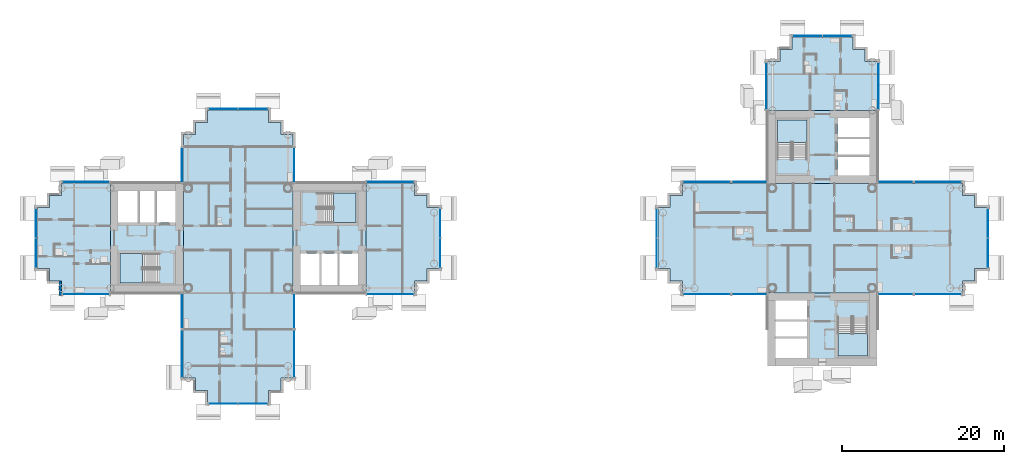
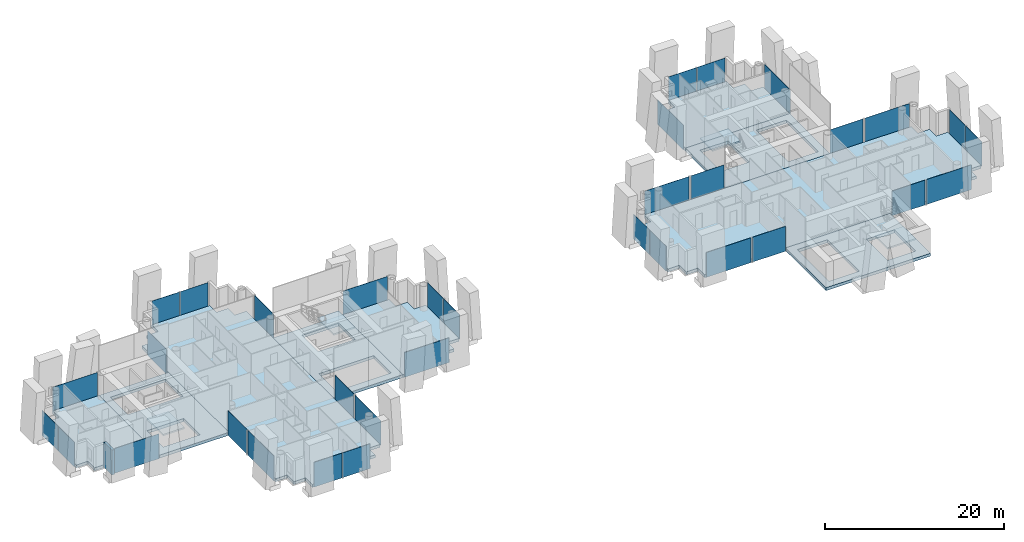
# One storey, part 7 of 21: 34 plates, 13 slabs, 1 wall, 31 elements without a shape of their own.
"""IFC4 building model written with IfcOpenShell, lengths in metres."""

from ifc_helpers import new_model, si_unit, direction, frame, frame_2d, origin, origin_2d, place, context, subcontext, project, spatial, polyline, rectangle, outline, extrude, material, layer, layer_set, type_object, element, aggregate, save


model = new_model("IFC4")

# Units and contexts
model_context = context("Model", 3, precision=1e-05, world=origin(), true_north=direction((0.0, 1.0)))
body_context = subcontext(model_context, "Body", "Model", "MODEL_VIEW")
ifc_project = project(units=[si_unit("LENGTHUNIT", "METRE"), si_unit("AREAUNIT", "SQUARE_METRE"), si_unit("VOLUMEUNIT", "CUBIC_METRE"), si_unit("PLANEANGLEUNIT", "RADIAN"), si_unit("MASSUNIT", "GRAM", prefix="KILO")], contexts=[model_context])

# Site, building, storey
site_placement = place(None, origin())
site = spatial("IfcSite", under=ifc_project, at=site_placement, CompositionType="ELEMENT")
building_placement = place(site_placement, origin())
building = spatial("IfcBuilding", under=site, at=building_placement, Name="Ipe Terrace Towers", CompositionType="ELEMENT")
storey_placement = place(building_placement, frame((0.0, 0.0, 86.800048828125)))
storey = spatial("IfcBuildingStorey", under=building, at=storey_placement, Name="L23", CompositionType="ELEMENT", Elevation=86.800048828125)

# Slabs
ifc_material_1 = material(Name="Concrete C30/37", Category="concrete")
ifc_layer_1 = layer(ifc_material_1, 0.39990234375)
ifc_layer_set_1 = layer_set([ifc_layer_1], Name="CORE FLOOR SLAB 400 C30-37")
slab_type_1 = type_object("IfcSlabType", Name="CORE FLOOR SLAB 400 C30-37", PredefinedType="FLOOR", material=ifc_layer_set_1)
slab_1_placement = place(storey_placement, frame((0.0, 0.0, -0.400146484375)))
element("IfcSlab", 1, at=slab_1_placement, inside=storey, type_object=slab_type_1, Name="Core floor T1-C1", PredefinedType="FLOOR", context=body_context, shape_type="SweptSolid", body=[
    extrude(outline(polyline([(-29.25, -6.75), (-29.25, 6.75), (-20.25, 6.75), (-20.25, -6.75), (-29.25, -6.75)]), holes=[polyline([(-28.300048828125, -5.800048828125), (-21.199951171875, -5.800048828125), (-21.199951171875, -1.89990234375), (-28.300048828125, -1.89990234375), (-28.300048828125, -5.800048828125)]), polyline([(-26.199951171875, 5.550048828125), (-26.199951171875, 1.89990234375), (-21.449951171875, 1.89990234375), (-21.449951171875, 5.550048828125), (-26.199951171875, 5.550048828125)])]), origin(), (0.0, 0.0, 1.0), 0.400146484375),
])
slab_2_placement = place(storey_placement, frame((0.0, 0.0, -0.400146484375)))
element("IfcSlab", 2, at=slab_2_placement, inside=storey, type_object=slab_type_1, Name="Core floor T1-C2", PredefinedType="FLOOR", context=body_context, shape_type="SweptSolid", body=[
    extrude(outline(polyline([(-51.75, -6.75), (-51.75, 6.75), (-42.75, 6.75), (-42.75, -6.75), (-51.75, -6.75)]), holes=[polyline([(-45.800048828125, -5.550048828125), (-45.800048828125, -1.89990234375), (-50.550048828125, -1.89990234375), (-50.550048828125, -5.550048828125), (-45.800048828125, -5.550048828125)]), polyline([(-50.800048828125, 1.89990234375), (-43.699951171875, 1.89990234375), (-43.699951171875, 5.800048828125), (-50.800048828125, 5.800048828125), (-50.800048828125, 1.89990234375)])]), origin(), (0.0, 0.0, 1.0), 0.400146484375),
])
slab_3_placement = place(storey_placement, frame((0.0, 0.0, -0.400146484375)))
element("IfcSlab", 3, at=slab_3_placement, inside=storey, type_object=slab_type_1, Name="Core floor T2-C1", PredefinedType="FLOOR", context=body_context, shape_type="SweptSolid", body=[
    extrude(outline(polyline([(29.25, 6.75), (29.25, 15.75), (42.75, 15.75), (42.75, 6.75), (29.25, 6.75)]), holes=[polyline([(41.800048828125, 7.699951171875), (41.800048828125, 14.800048828125), (37.89990234375, 14.800048828125), (37.89990234375, 7.699951171875), (41.800048828125, 7.699951171875)]), polyline([(30.449951171875, 9.800048828125), (34.10009765625, 9.800048828125), (34.10009765625, 14.550048828125), (30.449951171875, 14.550048828125), (30.449951171875, 9.800048828125)])]), origin(), (0.0, 0.0, 1.0), 0.400146484375),
])
slab_4_placement = place(storey_placement, frame((0.0, 0.0, -0.400146484375)))
element("IfcSlab", 4, at=slab_4_placement, inside=storey, type_object=slab_type_1, Name="Core floor T2-C2", PredefinedType="FLOOR", context=body_context, shape_type="SweptSolid", body=[
    extrude(outline(polyline([(29.25, -15.75), (29.25, -6.75), (42.75, -6.75), (42.75, -15.75), (29.25, -15.75)]), holes=[polyline([(34.10009765625, -14.800048828125), (34.10009765625, -7.699951171875), (30.199951171875, -7.699951171875), (30.199951171875, -14.800048828125), (34.10009765625, -14.800048828125)]), polyline([(41.550048828125, -9.800048828125), (37.89990234375, -9.800048828125), (37.89990234375, -14.550048828125), (41.550048828125, -14.550048828125), (41.550048828125, -9.800048828125)])]), origin(), (0.0, 0.0, 1.0), 0.400146484375),
])

# Stair, slab
ifc_material_2 = material(Name="Concrete C30/37", Category="concrete")
stair_type = type_object("IfcStairType", Name="Protected exit stair", PredefinedType="HALF_TURN_STAIR", material=ifc_material_2)
stair_1_placement = place(storey_placement, origin())
stair_1 = element("IfcStair", 5, at=stair_1_placement, inside=storey, type_object=stair_type, Name="L23 Exit stair T1-C1", PredefinedType="HALF_TURN_STAIR")
ifc_material_3 = material(Name="Concrete C30/37", Category="concrete")
ifc_layer_2 = layer(ifc_material_3, 0.199951171875)
ifc_layer_set_2 = layer_set([ifc_layer_2], Name="Exit stair landing 200")
slab_type_2 = type_object("IfcSlabType", Name="Exit stair landing 200", PredefinedType="LANDING", material=ifc_layer_set_2)
slab_5_placement = place(storey_placement, frame((0.0, 0.0, 1.5)))
slab_5 = element("IfcSlab", 6, at=slab_5_placement, type_object=slab_type_2, Name="T1-ST1 landing 1", PredefinedType="LANDING", context=body_context, shape_type="SweptSolid", body=[
    extrude(outline(polyline([(-24.219970703125, 1.89990234375), (-21.449951171875, 1.89990234375), (-21.449951171875, 5.550048828125), (-24.219970703125, 5.550048828125), (-24.219970703125, 1.89990234375)])), origin(), (0.0, 0.0, 1.0), 0.199951171875),
])
aggregate(stair_1, [slab_5])

stair_2_placement = place(storey_placement, origin())
stair_2 = element("IfcStair", 7, at=stair_2_placement, inside=storey, type_object=stair_type, Name="L23 Exit stair T1-C2", PredefinedType="HALF_TURN_STAIR")
slab_6_placement = place(storey_placement, frame((0.0, 0.0, 1.5)))
slab_6 = element("IfcSlab", 8, at=slab_6_placement, type_object=slab_type_2, Name="T1-ST2 landing 1", PredefinedType="LANDING", context=body_context, shape_type="SweptSolid", body=[
    extrude(outline(polyline([(-47.780029296875, -1.89990234375), (-50.550048828125, -1.89990234375), (-50.550048828125, -5.550048828125), (-47.780029296875, -5.550048828125), (-47.780029296875, -1.89990234375)])), origin(), (0.0, 0.0, 1.0), 0.199951171875),
])
aggregate(stair_2, [slab_6])

stair_3_placement = place(storey_placement, origin())
stair_3 = element("IfcStair", 9, at=stair_3_placement, inside=storey, type_object=stair_type, Name="L23 Exit stair T2-C1", PredefinedType="HALF_TURN_STAIR")
slab_7_placement = place(storey_placement, frame((0.0, 0.0, 1.5)))
slab_7 = element("IfcSlab", 10, at=slab_7_placement, type_object=slab_type_2, Name="T2-ST1 landing 1", PredefinedType="LANDING", context=body_context, shape_type="SweptSolid", body=[
    extrude(outline(polyline([(34.10009765625, 11.780029296875), (34.10009765625, 14.550048828125), (30.449951171875, 14.550048828125), (30.449951171875, 11.780029296875), (34.10009765625, 11.780029296875)])), origin(), (0.0, 0.0, 1.0), 0.199951171875),
])
aggregate(stair_3, [slab_7])

stair_4_placement = place(storey_placement, origin())
stair_4 = element("IfcStair", 11, at=stair_4_placement, inside=storey, type_object=stair_type, Name="L23 Exit stair T2-C2", PredefinedType="HALF_TURN_STAIR")
slab_8_placement = place(storey_placement, frame((0.0, 0.0, 1.5)))
slab_8 = element("IfcSlab", 12, at=slab_8_placement, type_object=slab_type_2, Name="T2-ST2 landing 1", PredefinedType="LANDING", context=body_context, shape_type="SweptSolid", body=[
    extrude(outline(polyline([(37.89990234375, -11.780029296875), (37.89990234375, -14.550048828125), (41.550048828125, -14.550048828125), (41.550048828125, -11.780029296875), (37.89990234375, -11.780029296875)])), origin(), (0.0, 0.0, 1.0), 0.199951171875),
])
aggregate(stair_4, [slab_8])

# Slabs
ifc_material_4 = material(Name="Concrete C40/50", Category="concrete")
ifc_layer_3 = layer(ifc_material_4, 0.39990234375)
ifc_layer_set_3 = layer_set([ifc_layer_3], Name="FLAT PLATE SLAB 400 C40-50")
slab_type_3 = type_object("IfcSlabType", Name="FLAT PLATE SLAB 400 C40-50", PredefinedType="FLOOR", material=ifc_layer_set_3)
slab_9_placement = place(storey_placement, frame((0.0, 0.0, -0.400146484375)))
element("IfcSlab", 13, at=slab_9_placement, inside=storey, type_object=slab_type_3, Name="Slab T1-FS-Z21", PredefinedType="FLOOR", context=body_context, shape_type="SweptSolid", body=[
    extrude(outline(polyline([(-30.75, -17.25), (-30.75, -18.75), (-32.25, -18.75), (-32.25, -20.25), (-39.75, -20.25), (-39.75, -18.75), (-41.25, -18.75), (-41.25, -17.25), (-42.75, -17.25), (-42.75, -6.75), (-42.75, 6.75), (-42.75, 12.75), (-41.25, 12.75), (-41.25, 14.25), (-39.75, 14.25), (-39.75, 15.75), (-32.25, 15.75), (-32.25, 14.25), (-30.75, 14.25), (-30.75, 12.75), (-29.25, 12.75), (-29.25, 6.75), (-29.25, -6.75), (-29.25, -17.25), (-30.75, -17.25)])), origin(), (0.0, 0.0, 1.0), 0.400146484375),
])
slab_10_placement = place(storey_placement, frame((0.0, 0.0, -0.400146484375)))
element("IfcSlab", 14, at=slab_10_placement, inside=storey, type_object=slab_type_3, Name="Slab T1-FS-Z22", PredefinedType="FLOOR", context=body_context, shape_type="SweptSolid", body=[
    extrude(outline(polyline([(-57.75, -6.75), (-57.75, -5.25), (-59.25, -5.25), (-59.25, -3.75), (-60.75, -3.75), (-60.75, 3.75), (-59.25, 3.75), (-59.25, 5.25), (-57.75, 5.25), (-57.75, 6.75), (-51.75, 6.75), (-51.75, -6.75), (-57.75, -6.75)])), origin(), (0.0, 0.0, 1.0), 0.400146484375),
])
slab_11_placement = place(storey_placement, frame((0.0, 0.0, -0.400146484375)))
element("IfcSlab", 15, at=slab_11_placement, inside=storey, type_object=slab_type_3, Name="Slab T1-FS-Z23", PredefinedType="FLOOR", context=body_context, shape_type="SweptSolid", body=[
    extrude(outline(polyline([(-14.25, 5.25), (-12.75, 5.25), (-12.75, 3.75), (-11.25, 3.75), (-11.25, -3.75), (-12.75, -3.75), (-12.75, -5.25), (-14.25, -5.25), (-14.25, -6.75), (-20.25, -6.75), (-20.25, 6.75), (-14.25, 6.75), (-14.25, 5.25)])), origin(), (0.0, 0.0, 1.0), 0.400146484375),
])
slab_12_placement = place(storey_placement, frame((0.0, 0.0, -0.400146484375)))
element("IfcSlab", 16, at=slab_12_placement, inside=storey, type_object=slab_type_3, Name="Slab T2-FS-Z21", PredefinedType="FLOOR", context=body_context, shape_type="SweptSolid", body=[
    extrude(outline(polyline([(53.25, 5.25), (54.75, 5.25), (54.75, 3.75), (56.25, 3.75), (56.25, -3.75), (54.75, -3.75), (54.75, -5.25), (53.25, -5.25), (53.25, -6.75), (42.75, -6.75), (29.25, -6.75), (18.75, -6.75), (18.75, -5.25), (17.25, -5.25), (17.25, -3.75), (15.75, -3.75), (15.75, 3.75), (17.25, 3.75), (17.25, 5.25), (18.75, 5.25), (18.75, 6.75), (29.25, 6.75), (42.75, 6.75), (53.25, 6.75), (53.25, 5.25)])), origin(), (0.0, 0.0, 1.0), 0.400146484375),
])
slab_13_placement = place(storey_placement, frame((0.0, 0.0, -0.400146484375)))
element("IfcSlab", 17, at=slab_13_placement, inside=storey, type_object=slab_type_3, Name="Slab T2-FS-Z22", PredefinedType="FLOOR", context=body_context, shape_type="SweptSolid", body=[
    extrude(outline(polyline([(30.75, 21.75), (30.75, 23.25), (32.25, 23.25), (32.25, 24.75), (39.75, 24.75), (39.75, 23.25), (41.25, 23.25), (41.25, 21.75), (42.75, 21.75), (42.75, 15.75), (29.25, 15.75), (29.25, 21.75), (30.75, 21.75)])), origin(), (0.0, 0.0, 1.0), 0.400146484375),
])

# Curtain wall, plate
ifc_material_5 = material(Name="Aluminium alloy 6063-T6", Category="aluminium")
ifc_layer_4 = layer(ifc_material_5, 0.320068359375)
ifc_layer_set_4 = layer_set([ifc_layer_4], Name="TOWER UNITISED CURTAIN WALL")
curtain_wall_type = type_object("IfcCurtainWallType", Name="TOWER UNITISED CURTAIN WALL", PredefinedType="NOTDEFINED", material=ifc_layer_set_4)
curtain_wall_1_placement = place(storey_placement, origin())
curtain_wall_1 = element("IfcCurtainWall", 18, at=curtain_wall_1_placement, inside=storey, type_object=curtain_wall_type, Name="T1-CW-L23-04a curtain wall", PredefinedType="NOTDEFINED")
ifc_material_6 = material(Name="Glass, clear laminated", Category="glass")
ifc_layer_5 = layer(ifc_material_6, 0.031982421875)
ifc_layer_set_5 = layer_set([ifc_layer_5], Name="TOWER UNITISED GLASS PANEL 32")
plate_type = type_object("IfcPlateType", Name="TOWER UNITISED GLASS PANEL 32", PredefinedType="CURTAIN_PANEL", material=ifc_layer_set_5)
plate_1_placement = place(storey_placement, frame((-54.75048828125, -6.909912109375, -0.300048828125), z_axis=(0.0, 0.0, 1.0), x_axis=(1.0, 0.0, 0.0)))
plate_1 = element("IfcPlate", 19, at=plate_1_placement, type_object=plate_type, Name="T1-CW-L23-04a panel 1", PredefinedType="CURTAIN_PANEL", context=body_context, shape_type="SweptSolid", body=[
    extrude(rectangle(XDim=5.759033203125, YDim=0.031982421875, at=origin_2d()), origin(), (0.0, 0.0, 1.0), 3.39990234375),
])
aggregate(curtain_wall_1, [plate_1])

curtain_wall_2_placement = place(storey_placement, origin())
curtain_wall_2 = element("IfcCurtainWall", 20, at=curtain_wall_2_placement, inside=storey, type_object=curtain_wall_type, Name="T1-CW-L23-06a curtain wall", PredefinedType="NOTDEFINED")
plate_2_placement = place(storey_placement, frame((-42.909912109375, -9.0, -0.300048828125), z_axis=(0.0, 0.0, 1.0), x_axis=(0.0, -1.0, 0.0)))
plate_2 = element("IfcPlate", 21, at=plate_2_placement, type_object=plate_type, Name="T1-CW-L23-06a panel 1", PredefinedType="CURTAIN_PANEL", context=body_context, shape_type="SweptSolid", body=[
    extrude(rectangle(XDim=4.260009765625, YDim=0.031982421875, at=origin_2d()), origin(), (0.0, 0.0, 1.0), 3.39990234375),
])
aggregate(curtain_wall_2, [plate_2])

curtain_wall_3_placement = place(storey_placement, origin())
curtain_wall_3 = element("IfcCurtainWall", 22, at=curtain_wall_3_placement, inside=storey, type_object=curtain_wall_type, Name="T1-CW-L23-07a curtain wall", PredefinedType="NOTDEFINED")
plate_3_placement = place(storey_placement, frame((-42.909912109375, -14.25, -0.300048828125), z_axis=(0.0, 0.0, 1.0), x_axis=(0.0, -1.0, 0.0)))
plate_3 = element("IfcPlate", 23, at=plate_3_placement, type_object=plate_type, Name="T1-CW-L23-07a panel 1", PredefinedType="CURTAIN_PANEL", context=body_context, shape_type="SweptSolid", body=[
    extrude(rectangle(XDim=5.760009765625, YDim=0.031982421875, at=origin_2d()), origin(), (0.0, 0.0, 1.0), 3.39990234375),
])
aggregate(curtain_wall_3, [plate_3])

# Curtain wall, plates
curtain_wall_4_placement = place(storey_placement, origin())
curtain_wall_4 = element("IfcCurtainWall", 24, at=curtain_wall_4_placement, inside=storey, type_object=curtain_wall_type, Name="T1-CW-L23-12a curtain wall", PredefinedType="NOTDEFINED")
plate_4_placement = place(storey_placement, frame((-37.831298828125, -20.409912109375, -0.300048828125), z_axis=(0.0, 0.0, 1.0), x_axis=(1.0, 0.0, 0.0)))
plate_4 = element("IfcPlate", 25, at=plate_4_placement, type_object=plate_type, Name="T1-CW-L23-12a panel 1", PredefinedType="CURTAIN_PANEL", context=body_context, shape_type="SweptSolid", body=[
    extrude(rectangle(XDim=3.597412109375, YDim=0.031982421875, at=origin_2d()), origin(), (0.0, 0.0, 1.0), 3.39990234375),
])
plate_5_placement = place(storey_placement, frame((-34.168701171875, -20.409912109375, -0.300048828125), z_axis=(0.0, 0.0, 1.0), x_axis=(1.0, 0.0, 0.0)))
plate_5 = element("IfcPlate", 26, at=plate_5_placement, type_object=plate_type, Name="T1-CW-L23-12a panel 2", PredefinedType="CURTAIN_PANEL", context=body_context, shape_type="SweptSolid", body=[
    extrude(rectangle(XDim=3.597412109375, YDim=0.031982421875, at=origin_2d()), origin(), (0.0, 0.0, 1.0), 3.39990234375),
])
aggregate(curtain_wall_4, [plate_4, plate_5])

# Curtain wall, plate
curtain_wall_5_placement = place(storey_placement, origin())
curtain_wall_5 = element("IfcCurtainWall", 27, at=curtain_wall_5_placement, inside=storey, type_object=curtain_wall_type, Name="T1-CW-L23-17a curtain wall", PredefinedType="NOTDEFINED")
plate_6_placement = place(storey_placement, frame((-29.090087890625, -14.25, -0.300048828125), z_axis=(0.0, 0.0, 1.0), x_axis=(0.0, 1.0, 0.0)))
plate_6 = element("IfcPlate", 28, at=plate_6_placement, type_object=plate_type, Name="T1-CW-L23-17a panel 1", PredefinedType="CURTAIN_PANEL", context=body_context, shape_type="SweptSolid", body=[
    extrude(rectangle(XDim=5.760009765625, YDim=0.031982421875, at=origin_2d()), origin(), (0.0, 0.0, 1.0), 3.39990234375),
])
aggregate(curtain_wall_5, [plate_6])

curtain_wall_6_placement = place(storey_placement, origin())
curtain_wall_6 = element("IfcCurtainWall", 29, at=curtain_wall_6_placement, inside=storey, type_object=curtain_wall_type, Name="T1-CW-L23-18a curtain wall", PredefinedType="NOTDEFINED")
plate_7_placement = place(storey_placement, frame((-29.090087890625, -9.0, -0.300048828125), z_axis=(0.0, 0.0, 1.0), x_axis=(0.0, 1.0, 0.0)))
plate_7 = element("IfcPlate", 30, at=plate_7_placement, type_object=plate_type, Name="T1-CW-L23-18a panel 1", PredefinedType="CURTAIN_PANEL", context=body_context, shape_type="SweptSolid", body=[
    extrude(rectangle(XDim=4.260009765625, YDim=0.031982421875, at=origin_2d()), origin(), (0.0, 0.0, 1.0), 3.39990234375),
])
aggregate(curtain_wall_6, [plate_7])

curtain_wall_7_placement = place(storey_placement, origin())
curtain_wall_7 = element("IfcCurtainWall", 31, at=curtain_wall_7_placement, inside=storey, type_object=curtain_wall_type, Name="T1-CW-L23-20b curtain wall", PredefinedType="NOTDEFINED")
plate_8_placement = place(storey_placement, frame((-17.24951171875, -6.909912109375, -0.300048828125), z_axis=(0.0, 0.0, 1.0), x_axis=(1.0, 0.0, 0.0)))
plate_8 = element("IfcPlate", 32, at=plate_8_placement, type_object=plate_type, Name="T1-CW-L23-20b panel 1", PredefinedType="CURTAIN_PANEL", context=body_context, shape_type="SweptSolid", body=[
    extrude(rectangle(XDim=5.759033203125, YDim=0.031982421875, at=origin_2d()), origin(), (0.0, 0.0, 1.0), 3.39990234375),
])
aggregate(curtain_wall_7, [plate_8])

# Curtain wall, plates
curtain_wall_8_placement = place(storey_placement, origin())
curtain_wall_8 = element("IfcCurtainWall", 33, at=curtain_wall_8_placement, inside=storey, type_object=curtain_wall_type, Name="T1-CW-L23-25a curtain wall", PredefinedType="NOTDEFINED")
plate_9_placement = place(storey_placement, frame((-11.090087890625, -1.831298828125, -0.300048828125), z_axis=(0.0, 0.0, 1.0), x_axis=(0.0, 1.0, 0.0)))
plate_9 = element("IfcPlate", 34, at=plate_9_placement, type_object=plate_type, Name="T1-CW-L23-25a panel 1", PredefinedType="CURTAIN_PANEL", context=body_context, shape_type="SweptSolid", body=[
    extrude(rectangle(XDim=3.597412109375, YDim=0.031982421875, at=origin_2d()), origin(), (0.0, 0.0, 1.0), 3.39990234375),
])
plate_10_placement = place(storey_placement, frame((-11.090087890625, 1.831298828125, -0.300048828125), z_axis=(0.0, 0.0, 1.0), x_axis=(0.0, 1.0, 0.0)))
plate_10 = element("IfcPlate", 35, at=plate_10_placement, type_object=plate_type, Name="T1-CW-L23-25a panel 2", PredefinedType="CURTAIN_PANEL", context=body_context, shape_type="SweptSolid", body=[
    extrude(rectangle(XDim=3.597412109375, YDim=0.031982421875, at=origin_2d()), origin(), (0.0, 0.0, 1.0), 3.39990234375),
])
aggregate(curtain_wall_8, [plate_9, plate_10])

# Curtain wall, plate
curtain_wall_9_placement = place(storey_placement, origin())
curtain_wall_9 = element("IfcCurtainWall", 36, at=curtain_wall_9_placement, inside=storey, type_object=curtain_wall_type, Name="T1-CW-L23-30a curtain wall", PredefinedType="NOTDEFINED")
plate_11_placement = place(storey_placement, frame((-17.24951171875, 6.909912109375, -0.300048828125), z_axis=(0.0, 0.0, 1.0), x_axis=(-1.0, 0.0, 0.0)))
plate_11 = element("IfcPlate", 37, at=plate_11_placement, type_object=plate_type, Name="T1-CW-L23-30a panel 1", PredefinedType="CURTAIN_PANEL", context=body_context, shape_type="SweptSolid", body=[
    extrude(rectangle(XDim=5.759033203125, YDim=0.031982421875, at=origin_2d()), origin(), (0.0, 0.0, 1.0), 3.39990234375),
])
aggregate(curtain_wall_9, [plate_11])

curtain_wall_10_placement = place(storey_placement, origin())
curtain_wall_10 = element("IfcCurtainWall", 38, at=curtain_wall_10_placement, inside=storey, type_object=curtain_wall_type, Name="T1-CW-L23-32a curtain wall", PredefinedType="NOTDEFINED")
plate_12_placement = place(storey_placement, frame((-29.090087890625, 9.0, -0.300048828125), z_axis=(0.0, 0.0, 1.0), x_axis=(0.0, 1.0, 0.0)))
plate_12 = element("IfcPlate", 39, at=plate_12_placement, type_object=plate_type, Name="T1-CW-L23-32a panel 1", PredefinedType="CURTAIN_PANEL", context=body_context, shape_type="SweptSolid", body=[
    extrude(rectangle(XDim=4.260009765625, YDim=0.031982421875, at=origin_2d()), origin(), (0.0, 0.0, 1.0), 3.39990234375),
])
aggregate(curtain_wall_10, [plate_12])

# Curtain wall, plates
curtain_wall_11_placement = place(storey_placement, origin())
curtain_wall_11 = element("IfcCurtainWall", 40, at=curtain_wall_11_placement, inside=storey, type_object=curtain_wall_type, Name="T1-CW-L23-38a curtain wall", PredefinedType="NOTDEFINED")
plate_13_placement = place(storey_placement, frame((-34.168701171875, 15.909912109375, -0.300048828125), z_axis=(0.0, 0.0, 1.0), x_axis=(-1.0, 0.0, 0.0)))
plate_13 = element("IfcPlate", 41, at=plate_13_placement, type_object=plate_type, Name="T1-CW-L23-38a panel 1", PredefinedType="CURTAIN_PANEL", context=body_context, shape_type="SweptSolid", body=[
    extrude(rectangle(XDim=3.597412109375, YDim=0.031982421875, at=origin_2d()), origin(), (0.0, 0.0, 1.0), 3.39990234375),
])
plate_14_placement = place(storey_placement, frame((-37.831298828125, 15.909912109375, -0.300048828125), z_axis=(0.0, 0.0, 1.0), x_axis=(-1.0, 0.0, 0.0)))
plate_14 = element("IfcPlate", 42, at=plate_14_placement, type_object=plate_type, Name="T1-CW-L23-38a panel 2", PredefinedType="CURTAIN_PANEL", context=body_context, shape_type="SweptSolid", body=[
    extrude(rectangle(XDim=3.597412109375, YDim=0.031982421875, at=origin_2d()), origin(), (0.0, 0.0, 1.0), 3.39990234375),
])
aggregate(curtain_wall_11, [plate_13, plate_14])

# Curtain wall, plate
curtain_wall_12_placement = place(storey_placement, origin())
curtain_wall_12 = element("IfcCurtainWall", 43, at=curtain_wall_12_placement, inside=storey, type_object=curtain_wall_type, Name="T1-CW-L23-44a curtain wall", PredefinedType="NOTDEFINED")
plate_15_placement = place(storey_placement, frame((-42.909912109375, 9.0, -0.300048828125), z_axis=(0.0, 0.0, 1.0), x_axis=(0.0, -1.0, 0.0)))
plate_15 = element("IfcPlate", 44, at=plate_15_placement, type_object=plate_type, Name="T1-CW-L23-44a panel 1", PredefinedType="CURTAIN_PANEL", context=body_context, shape_type="SweptSolid", body=[
    extrude(rectangle(XDim=4.260009765625, YDim=0.031982421875, at=origin_2d()), origin(), (0.0, 0.0, 1.0), 3.39990234375),
])
aggregate(curtain_wall_12, [plate_15])

curtain_wall_13_placement = place(storey_placement, origin())
curtain_wall_13 = element("IfcCurtainWall", 45, at=curtain_wall_13_placement, inside=storey, type_object=curtain_wall_type, Name="T1-CW-L23-46b curtain wall", PredefinedType="NOTDEFINED")
plate_16_placement = place(storey_placement, frame((-54.75048828125, 6.909912109375, -0.300048828125), z_axis=(0.0, 0.0, 1.0), x_axis=(-1.0, 0.0, 0.0)))
plate_16 = element("IfcPlate", 46, at=plate_16_placement, type_object=plate_type, Name="T1-CW-L23-46b panel 1", PredefinedType="CURTAIN_PANEL", context=body_context, shape_type="SweptSolid", body=[
    extrude(rectangle(XDim=5.759033203125, YDim=0.031982421875, at=origin_2d()), origin(), (0.0, 0.0, 1.0), 3.39990234375),
])
aggregate(curtain_wall_13, [plate_16])

# Curtain wall, plates
curtain_wall_14_placement = place(storey_placement, origin())
curtain_wall_14 = element("IfcCurtainWall", 47, at=curtain_wall_14_placement, inside=storey, type_object=curtain_wall_type, Name="T1-CW-L23-51a curtain wall", PredefinedType="NOTDEFINED")
plate_17_placement = place(storey_placement, frame((-60.909912109375, 1.831298828125, -0.300048828125), z_axis=(0.0, 0.0, 1.0), x_axis=(0.0, -1.0, 0.0)))
plate_17 = element("IfcPlate", 48, at=plate_17_placement, type_object=plate_type, Name="T1-CW-L23-51a panel 1", PredefinedType="CURTAIN_PANEL", context=body_context, shape_type="SweptSolid", body=[
    extrude(rectangle(XDim=3.597412109375, YDim=0.031982421875, at=origin_2d()), origin(), (0.0, 0.0, 1.0), 3.39990234375),
])
plate_18_placement = place(storey_placement, frame((-60.909912109375, -1.831298828125, -0.300048828125), z_axis=(0.0, 0.0, 1.0), x_axis=(0.0, -1.0, 0.0)))
plate_18 = element("IfcPlate", 49, at=plate_18_placement, type_object=plate_type, Name="T1-CW-L23-51a panel 2", PredefinedType="CURTAIN_PANEL", context=body_context, shape_type="SweptSolid", body=[
    extrude(rectangle(XDim=3.597412109375, YDim=0.031982421875, at=origin_2d()), origin(), (0.0, 0.0, 1.0), 3.39990234375),
])
aggregate(curtain_wall_14, [plate_17, plate_18])

# Curtain wall, plate
curtain_wall_15_placement = place(storey_placement, origin())
curtain_wall_15 = element("IfcCurtainWall", 50, at=curtain_wall_15_placement, inside=storey, type_object=curtain_wall_type, Name="T2-CW-L23-02a curtain wall", PredefinedType="NOTDEFINED")
plate_19_placement = place(storey_placement, frame((45.0, -6.909912109375, -0.300048828125), z_axis=(0.0, 0.0, 1.0), x_axis=(1.0, 0.0, 0.0)))
plate_19 = element("IfcPlate", 51, at=plate_19_placement, type_object=plate_type, Name="T2-CW-L23-02a panel 1", PredefinedType="CURTAIN_PANEL", context=body_context, shape_type="SweptSolid", body=[
    extrude(rectangle(XDim=4.260009765625, YDim=0.031982421875, at=origin_2d()), origin(), (0.0, 0.0, 1.0), 3.39990234375),
])
aggregate(curtain_wall_15, [plate_19])

curtain_wall_16_placement = place(storey_placement, origin())
curtain_wall_16 = element("IfcCurtainWall", 52, at=curtain_wall_16_placement, inside=storey, type_object=curtain_wall_type, Name="T2-CW-L23-03a curtain wall", PredefinedType="NOTDEFINED")
plate_20_placement = place(storey_placement, frame((50.25, -6.909912109375, -0.300048828125), z_axis=(0.0, 0.0, 1.0), x_axis=(1.0, 0.0, 0.0)))
plate_20 = element("IfcPlate", 53, at=plate_20_placement, type_object=plate_type, Name="T2-CW-L23-03a panel 1", PredefinedType="CURTAIN_PANEL", context=body_context, shape_type="SweptSolid", body=[
    extrude(rectangle(XDim=5.760009765625, YDim=0.031982421875, at=origin_2d()), origin(), (0.0, 0.0, 1.0), 3.39990234375),
])
aggregate(curtain_wall_16, [plate_20])

# Curtain wall, plates
curtain_wall_17_placement = place(storey_placement, origin())
curtain_wall_17 = element("IfcCurtainWall", 54, at=curtain_wall_17_placement, inside=storey, type_object=curtain_wall_type, Name="T2-CW-L23-08a curtain wall", PredefinedType="NOTDEFINED")
plate_21_placement = place(storey_placement, frame((56.409912109375, -1.831298828125, -0.300048828125), z_axis=(0.0, 0.0, 1.0), x_axis=(0.0, 1.0, 0.0)))
plate_21 = element("IfcPlate", 55, at=plate_21_placement, type_object=plate_type, Name="T2-CW-L23-08a panel 1", PredefinedType="CURTAIN_PANEL", context=body_context, shape_type="SweptSolid", body=[
    extrude(rectangle(XDim=3.597412109375, YDim=0.031982421875, at=origin_2d()), origin(), (0.0, 0.0, 1.0), 3.39990234375),
])
plate_22_placement = place(storey_placement, frame((56.409912109375, 1.831298828125, -0.300048828125), z_axis=(0.0, 0.0, 1.0), x_axis=(0.0, 1.0, 0.0)))
plate_22 = element("IfcPlate", 56, at=plate_22_placement, type_object=plate_type, Name="T2-CW-L23-08a panel 2", PredefinedType="CURTAIN_PANEL", context=body_context, shape_type="SweptSolid", body=[
    extrude(rectangle(XDim=3.597412109375, YDim=0.031982421875, at=origin_2d()), origin(), (0.0, 0.0, 1.0), 3.39990234375),
])
aggregate(curtain_wall_17, [plate_21, plate_22])

# Curtain wall, plate
curtain_wall_18_placement = place(storey_placement, origin())
curtain_wall_18 = element("IfcCurtainWall", 57, at=curtain_wall_18_placement, inside=storey, type_object=curtain_wall_type, Name="T2-CW-L23-13a curtain wall", PredefinedType="NOTDEFINED")
plate_23_placement = place(storey_placement, frame((50.25, 6.909912109375, -0.300048828125), z_axis=(0.0, 0.0, 1.0), x_axis=(-1.0, 0.0, 0.0)))
plate_23 = element("IfcPlate", 58, at=plate_23_placement, type_object=plate_type, Name="T2-CW-L23-13a panel 1", PredefinedType="CURTAIN_PANEL", context=body_context, shape_type="SweptSolid", body=[
    extrude(rectangle(XDim=5.760009765625, YDim=0.031982421875, at=origin_2d()), origin(), (0.0, 0.0, 1.0), 3.39990234375),
])
aggregate(curtain_wall_18, [plate_23])

curtain_wall_19_placement = place(storey_placement, origin())
curtain_wall_19 = element("IfcCurtainWall", 59, at=curtain_wall_19_placement, inside=storey, type_object=curtain_wall_type, Name="T2-CW-L23-14a curtain wall", PredefinedType="NOTDEFINED")
plate_24_placement = place(storey_placement, frame((45.0, 6.909912109375, -0.300048828125), z_axis=(0.0, 0.0, 1.0), x_axis=(-1.0, 0.0, 0.0)))
plate_24 = element("IfcPlate", 60, at=plate_24_placement, type_object=plate_type, Name="T2-CW-L23-14a panel 1", PredefinedType="CURTAIN_PANEL", context=body_context, shape_type="SweptSolid", body=[
    extrude(rectangle(XDim=4.260009765625, YDim=0.031982421875, at=origin_2d()), origin(), (0.0, 0.0, 1.0), 3.39990234375),
])
aggregate(curtain_wall_19, [plate_24])

curtain_wall_20_placement = place(storey_placement, origin())
curtain_wall_20 = element("IfcCurtainWall", 61, at=curtain_wall_20_placement, inside=storey, type_object=curtain_wall_type, Name="T2-CW-L23-16b curtain wall", PredefinedType="NOTDEFINED")
plate_25_placement = place(storey_placement, frame((42.909912109375, 18.75048828125, -0.300048828125), z_axis=(0.0, 0.0, 1.0), x_axis=(0.0, 1.0, 0.0)))
plate_25 = element("IfcPlate", 62, at=plate_25_placement, type_object=plate_type, Name="T2-CW-L23-16b panel 1", PredefinedType="CURTAIN_PANEL", context=body_context, shape_type="SweptSolid", body=[
    extrude(rectangle(XDim=5.759033203125, YDim=0.031982421875, at=origin_2d()), origin(), (0.0, 0.0, 1.0), 3.39990234375),
])
aggregate(curtain_wall_20, [plate_25])

# Curtain wall, plates
curtain_wall_21_placement = place(storey_placement, origin())
curtain_wall_21 = element("IfcCurtainWall", 63, at=curtain_wall_21_placement, inside=storey, type_object=curtain_wall_type, Name="T2-CW-L23-21a curtain wall", PredefinedType="NOTDEFINED")
plate_26_placement = place(storey_placement, frame((37.831298828125, 24.909912109375, -0.300048828125), z_axis=(0.0, 0.0, 1.0), x_axis=(-1.0, 0.0, 0.0)))
plate_26 = element("IfcPlate", 64, at=plate_26_placement, type_object=plate_type, Name="T2-CW-L23-21a panel 1", PredefinedType="CURTAIN_PANEL", context=body_context, shape_type="SweptSolid", body=[
    extrude(rectangle(XDim=3.597412109375, YDim=0.031982421875, at=origin_2d()), origin(), (0.0, 0.0, 1.0), 3.39990234375),
])
plate_27_placement = place(storey_placement, frame((34.168701171875, 24.909912109375, -0.300048828125), z_axis=(0.0, 0.0, 1.0), x_axis=(-1.0, 0.0, 0.0)))
plate_27 = element("IfcPlate", 65, at=plate_27_placement, type_object=plate_type, Name="T2-CW-L23-21a panel 2", PredefinedType="CURTAIN_PANEL", context=body_context, shape_type="SweptSolid", body=[
    extrude(rectangle(XDim=3.597412109375, YDim=0.031982421875, at=origin_2d()), origin(), (0.0, 0.0, 1.0), 3.39990234375),
])
aggregate(curtain_wall_21, [plate_26, plate_27])

# Curtain wall, plate
curtain_wall_22_placement = place(storey_placement, origin())
curtain_wall_22 = element("IfcCurtainWall", 66, at=curtain_wall_22_placement, inside=storey, type_object=curtain_wall_type, Name="T2-CW-L23-26a curtain wall", PredefinedType="NOTDEFINED")
plate_28_placement = place(storey_placement, frame((29.090087890625, 18.75048828125, -0.300048828125), z_axis=(0.0, 0.0, 1.0), x_axis=(0.0, -1.0, 0.0)))
plate_28 = element("IfcPlate", 67, at=plate_28_placement, type_object=plate_type, Name="T2-CW-L23-26a panel 1", PredefinedType="CURTAIN_PANEL", context=body_context, shape_type="SweptSolid", body=[
    extrude(rectangle(XDim=5.759033203125, YDim=0.031982421875, at=origin_2d()), origin(), (0.0, 0.0, 1.0), 3.39990234375),
])
aggregate(curtain_wall_22, [plate_28])

curtain_wall_23_placement = place(storey_placement, origin())
curtain_wall_23 = element("IfcCurtainWall", 68, at=curtain_wall_23_placement, inside=storey, type_object=curtain_wall_type, Name="T2-CW-L23-28a curtain wall", PredefinedType="NOTDEFINED")
plate_29_placement = place(storey_placement, frame((27.0, 6.909912109375, -0.300048828125), z_axis=(0.0, 0.0, 1.0), x_axis=(-1.0, 0.0, 0.0)))
plate_29 = element("IfcPlate", 69, at=plate_29_placement, type_object=plate_type, Name="T2-CW-L23-28a panel 1", PredefinedType="CURTAIN_PANEL", context=body_context, shape_type="SweptSolid", body=[
    extrude(rectangle(XDim=4.260009765625, YDim=0.031982421875, at=origin_2d()), origin(), (0.0, 0.0, 1.0), 3.39990234375),
])
aggregate(curtain_wall_23, [plate_29])

curtain_wall_24_placement = place(storey_placement, origin())
curtain_wall_24 = element("IfcCurtainWall", 70, at=curtain_wall_24_placement, inside=storey, type_object=curtain_wall_type, Name="T2-CW-L23-29a curtain wall", PredefinedType="NOTDEFINED")
plate_30_placement = place(storey_placement, frame((21.75, 6.909912109375, -0.300048828125), z_axis=(0.0, 0.0, 1.0), x_axis=(-1.0, 0.0, 0.0)))
plate_30 = element("IfcPlate", 71, at=plate_30_placement, type_object=plate_type, Name="T2-CW-L23-29a panel 1", PredefinedType="CURTAIN_PANEL", context=body_context, shape_type="SweptSolid", body=[
    extrude(rectangle(XDim=5.760009765625, YDim=0.031982421875, at=origin_2d()), origin(), (0.0, 0.0, 1.0), 3.39990234375),
])
aggregate(curtain_wall_24, [plate_30])

# Curtain wall, plates
curtain_wall_25_placement = place(storey_placement, origin())
curtain_wall_25 = element("IfcCurtainWall", 72, at=curtain_wall_25_placement, inside=storey, type_object=curtain_wall_type, Name="T2-CW-L23-34a curtain wall", PredefinedType="NOTDEFINED")
plate_31_placement = place(storey_placement, frame((15.590087890625, 1.831298828125, -0.300048828125), z_axis=(0.0, 0.0, 1.0), x_axis=(0.0, -1.0, 0.0)))
plate_31 = element("IfcPlate", 73, at=plate_31_placement, type_object=plate_type, Name="T2-CW-L23-34a panel 1", PredefinedType="CURTAIN_PANEL", context=body_context, shape_type="SweptSolid", body=[
    extrude(rectangle(XDim=3.597412109375, YDim=0.031982421875, at=origin_2d()), origin(), (0.0, 0.0, 1.0), 3.39990234375),
])
plate_32_placement = place(storey_placement, frame((15.590087890625, -1.831298828125, -0.300048828125), z_axis=(0.0, 0.0, 1.0), x_axis=(0.0, -1.0, 0.0)))
plate_32 = element("IfcPlate", 74, at=plate_32_placement, type_object=plate_type, Name="T2-CW-L23-34a panel 2", PredefinedType="CURTAIN_PANEL", context=body_context, shape_type="SweptSolid", body=[
    extrude(rectangle(XDim=3.597412109375, YDim=0.031982421875, at=origin_2d()), origin(), (0.0, 0.0, 1.0), 3.39990234375),
])
aggregate(curtain_wall_25, [plate_31, plate_32])

# Curtain wall, plate
curtain_wall_26_placement = place(storey_placement, origin())
curtain_wall_26 = element("IfcCurtainWall", 75, at=curtain_wall_26_placement, inside=storey, type_object=curtain_wall_type, Name="T2-CW-L23-39a curtain wall", PredefinedType="NOTDEFINED")
plate_33_placement = place(storey_placement, frame((21.75, -6.909912109375, -0.300048828125), z_axis=(0.0, 0.0, 1.0), x_axis=(1.0, 0.0, 0.0)))
plate_33 = element("IfcPlate", 76, at=plate_33_placement, type_object=plate_type, Name="T2-CW-L23-39a panel 1", PredefinedType="CURTAIN_PANEL", context=body_context, shape_type="SweptSolid", body=[
    extrude(rectangle(XDim=5.760009765625, YDim=0.031982421875, at=origin_2d()), origin(), (0.0, 0.0, 1.0), 3.39990234375),
])
aggregate(curtain_wall_26, [plate_33])

curtain_wall_27_placement = place(storey_placement, origin())
curtain_wall_27 = element("IfcCurtainWall", 77, at=curtain_wall_27_placement, inside=storey, type_object=curtain_wall_type, Name="T2-CW-L23-40a curtain wall", PredefinedType="NOTDEFINED")
plate_34_placement = place(storey_placement, frame((27.0, -6.909912109375, -0.300048828125), z_axis=(0.0, 0.0, 1.0), x_axis=(1.0, 0.0, 0.0)))
plate_34 = element("IfcPlate", 78, at=plate_34_placement, type_object=plate_type, Name="T2-CW-L23-40a panel 1", PredefinedType="CURTAIN_PANEL", context=body_context, shape_type="SweptSolid", body=[
    extrude(rectangle(XDim=4.260009765625, YDim=0.031982421875, at=origin_2d()), origin(), (0.0, 0.0, 1.0), 3.39990234375),
])
aggregate(curtain_wall_27, [plate_34])

# Wall
ifc_material_7 = material(Name="Concrete C40/50 with buff precast cladding", Category="concrete")
ifc_layer_6 = layer(ifc_material_7, 0.320068359375)
ifc_layer_set_6 = layer_set([ifc_layer_6], Name="BUFF CLADDING WALL 320")
wall_type = type_object("IfcWallType", Name="BUFF CLADDING WALL 320", PredefinedType="STANDARD", material=ifc_layer_set_6)
wall_placement = place(storey_placement, frame((-57.909912109375, -5.25, -0.300048828125), z_axis=(0.0, 0.0, 1.0), x_axis=(0.0, -1.0, 0.0)))
element("IfcWall", 79, at=wall_placement, inside=storey, type_object=wall_type, Name="T1-W-L23-03a wall", PredefinedType="STANDARD", context=body_context, shape_type="SweptSolid", body=[
    extrude(rectangle(XDim=1.820068359375, YDim=0.320068359375, at=frame_2d((0.91015625, 0.0))), origin(), (0.0, 0.0, 1.0), 3.39990234375),
])

save(model, "model.ifc")
